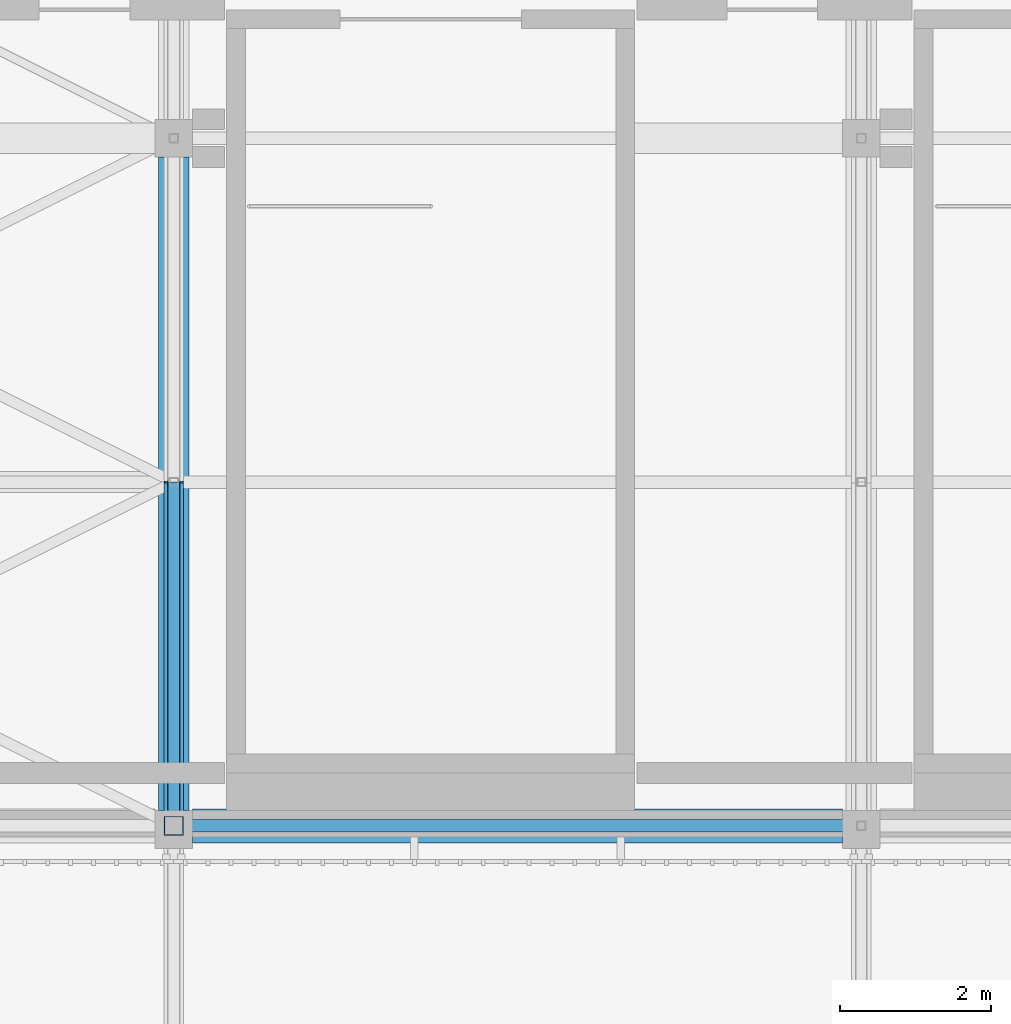
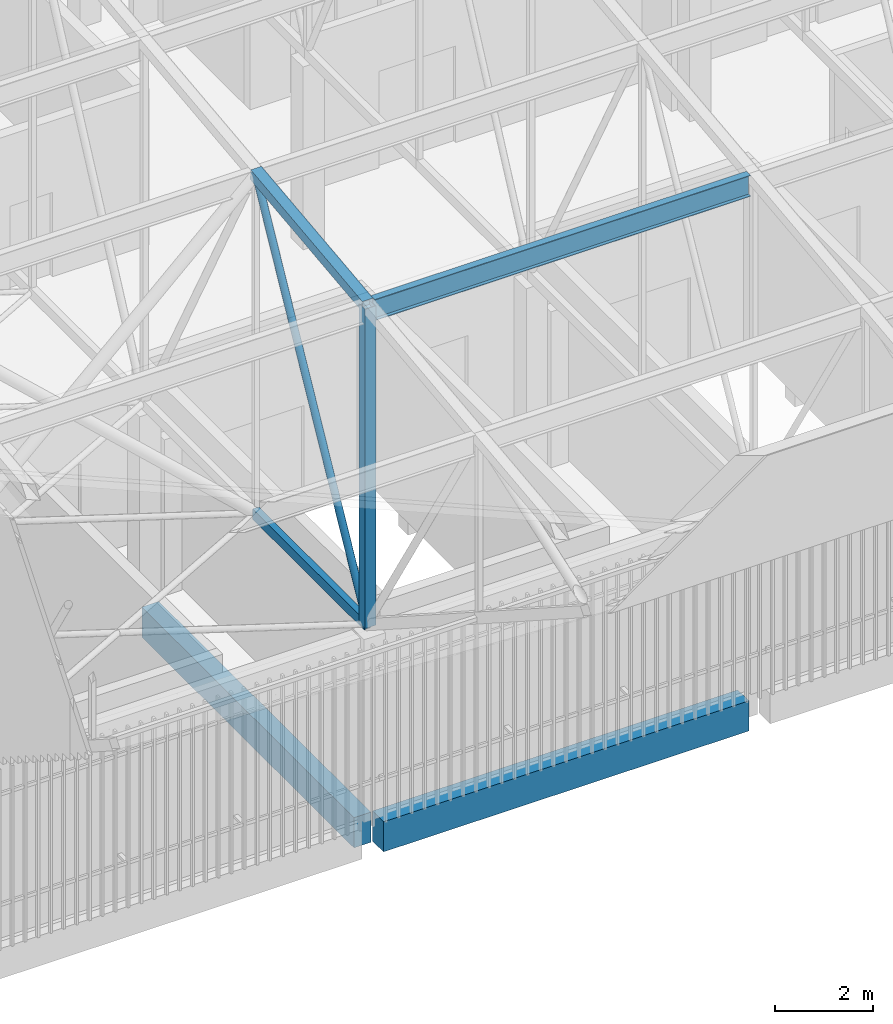
# One storey, part 9 of 500: 5 members, 2 beams.
"""IFC4 building model written with IfcOpenShell, lengths in metres."""

from ifc_helpers import new_model, si_unit, direction, frame, origin, origin_2d, place, context, subcontext, project, spatial, rectangle, hollow_rectangle, hollow_circle, i_section, extrude, material, material_profile, profile_set, type_object, element, save


model = new_model("IFC4")

# Units and contexts
model_context = context("Model", 3, precision=1e-05, world=origin(), true_north=direction((0.0, 1.0)))
body_context = subcontext(model_context, "Body", "Model", "MODEL_VIEW")
ifc_project = project(units=[si_unit("LENGTHUNIT", "METRE"), si_unit("AREAUNIT", "SQUARE_METRE"), si_unit("VOLUMEUNIT", "CUBIC_METRE"), si_unit("PLANEANGLEUNIT", "RADIAN"), si_unit("MASSUNIT", "GRAM", prefix="KILO")], contexts=[model_context])

# Site, building, storey
site_placement = place(None, origin())
site = spatial("IfcSite", under=ifc_project, at=site_placement, CompositionType="ELEMENT")
building_placement = place(site_placement, origin())
building = spatial("IfcBuilding", under=site, at=building_placement, Name="Shirokan Park Arena", CompositionType="ELEMENT")
storey_placement = place(building_placement, frame((0.0, 0.0, 29.1201171875)))
storey = spatial("IfcBuildingStorey", under=building, at=storey_placement, Name="L06", CompositionType="ELEMENT", Elevation=29.1201171875)

# Members
ifc_material_1 = material(Name="Steel ASTM A500 Grade C", Category="steel")
ifc_material_profile_1 = material_profile(ifc_material_1, hollow_rectangle(XDim=0.152099609375, YDim=0.25390625, WallThickness=0.009521484375, at=origin_2d()), Name="HSS254X152.4X9.5")
ifc_profile_set_1 = profile_set([ifc_material_profile_1], Name="Steel ASTM A500 Grade C")
member_type_1 = type_object("IfcMemberType", Name="Bottom chord HSS254X152.4X9.5", PredefinedType="CHORD", material=ifc_profile_set_1)
member_1_placement = place(storey_placement, frame((9.10009765625, 0.0, 4.677001953125), z_axis=(0.0, 1.0, 0.0), x_axis=(-1.0, 0.0, 0.0)))
element("IfcMember", 1, at=member_1_placement, inside=storey, type_object=member_type_1, Name="Truss T02 bottom chord 3", PredefinedType="CHORD", context=body_context, shape_type="SweptSolid", body=[
    extrude(hollow_rectangle(XDim=0.152099609375, YDim=0.25390625, WallThickness=0.009521484375, at=origin_2d()), origin(), (0.0, 0.0, 1.0), 4.550048828125),
])
ifc_material_2 = material(Name="Steel ASTM A992", Category="steel")
ifc_material_profile_2 = material_profile(ifc_material_2, i_section(OverallWidth=0.166015625, OverallDepth=0.528076171875, WebThickness=0.009765625, FlangeThickness=0.013671875, at=origin_2d()), Name="W530X74")
ifc_profile_set_2 = profile_set([ifc_material_profile_2], Name="Steel ASTM A992")
member_type_2 = type_object("IfcMemberType", Name="Purlin W530X74", PredefinedType="PURLIN", material=ifc_profile_set_2)
member_2_placement = place(storey_placement, frame((9.22705078125, 0.0, 12.48583984375), z_axis=(1.0, 0.0, 0.0), x_axis=(0.0, 1.0, 0.0)))
element("IfcMember", 2, at=member_2_placement, inside=storey, type_object=member_type_2, Name="Purlin 3 bay 2", PredefinedType="PURLIN", context=body_context, shape_type="SweptSolid", body=[
    extrude(i_section(OverallWidth=0.166015625, OverallDepth=0.528076171875, WebThickness=0.009765625, FlangeThickness=0.013671875, at=origin_2d()), origin(), (0.0, 0.0, 1.0), 8.845947265625),
])

# Beams
ifc_material_3 = material(Name="Concrete C35", Category="concrete")
ifc_material_profile_3 = material_profile(ifc_material_3, rectangle(XDim=0.39990234375, YDim=0.75, at=origin_2d()), Name="400x750")
ifc_profile_set_3 = profile_set([ifc_material_profile_3], Name="Concrete C35")
beam_type_1 = type_object("IfcBeamType", Name="RC girder 400x750", PredefinedType="BEAM", material=ifc_profile_set_3)
beam_1_placement = place(storey_placement, frame((9.10009765625, 0.2001953125, -0.5751953125), z_axis=(0.0, 1.0, 0.0), x_axis=(-1.0, 0.0, 0.0)))
element("IfcBeam", 3, at=beam_1_placement, inside=storey, type_object=beam_type_1, Name="Girder 2A-2B L06", PredefinedType="BEAM", context=body_context, shape_type="SweptSolid", body=[
    extrude(rectangle(XDim=0.39990234375, YDim=0.75, at=origin_2d()), origin(), (0.0, 0.0, 1.0), 8.649658203125),
])
ifc_material_profile_4 = material_profile(ifc_material_3, rectangle(XDim=0.449951171875, YDim=0.75, at=origin_2d()), Name="450x750")
ifc_profile_set_4 = profile_set([ifc_material_profile_4], Name="Concrete C35")
beam_type_2 = type_object("IfcBeamType", Name="RC girder 450x750", PredefinedType="BEAM", material=ifc_profile_set_4)
beam_2_placement = place(storey_placement, frame((9.35009765625, 0.0, -0.5751953125), z_axis=(1.0, 0.0, 0.0), x_axis=(0.0, 1.0, 0.0)))
element("IfcBeam", 4, at=beam_2_placement, inside=storey, type_object=beam_type_2, Name="Girder 2A-3A L06", PredefinedType="BEAM", context=body_context, shape_type="SweptSolid", body=[
    extrude(rectangle(XDim=0.449951171875, YDim=0.75, at=origin_2d()), origin(), (0.0, 0.0, 1.0), 8.599853515625),
])

# Members
ifc_material_profile_5 = material_profile(ifc_material_1, hollow_rectangle(XDim=0.25390625, YDim=0.25390625, WallThickness=0.009521484375, at=origin_2d()), Name="HSS254X254X9.5")
ifc_profile_set_5 = profile_set([ifc_material_profile_5], Name="Steel ASTM A500 Grade C")
member_type_3 = type_object("IfcMemberType", Name="Top chord HSS254X254X9.5", PredefinedType="CHORD", material=ifc_profile_set_5)
member_3_placement = place(storey_placement, frame((9.10009765625, 0.0, 12.622802734375), z_axis=(0.0, 0.993532328996, 0.113549598152), x_axis=(-1.0, 0.0, 0.0)))
element("IfcMember", 5, at=member_3_placement, inside=storey, type_object=member_type_3, Name="Truss T02 top chord 3", PredefinedType="CHORD", context=body_context, shape_type="SweptSolid", body=[
    extrude(hollow_rectangle(XDim=0.25390625, YDim=0.25390625, WallThickness=0.009521484375, at=origin_2d()), origin(), (0.0, 0.0, 1.0), 4.57958984375),
])
ifc_material_profile_6 = material_profile(ifc_material_1, hollow_circle(Radius=0.083984375, WallThickness=0.009521484375, at=origin_2d()), Name="HSS168.3X9.5")
ifc_profile_set_6 = profile_set([ifc_material_profile_6], Name="Steel ASTM A500 Grade C")
member_type_4 = type_object("IfcMemberType", Name="Truss diagonal HSS168.3X9.5", PredefinedType="BRACE", material=ifc_profile_set_6)
member_4_placement = place(storey_placement, frame((9.10009765625, 0.0, 4.677001953125), z_axis=(0.0, 0.473416507165, 0.880838697347), x_axis=(-1.0, 0.0, 0.0)))
element("IfcMember", 6, at=member_4_placement, inside=storey, type_object=member_type_4, Name="Truss T02 diagonal 3", PredefinedType="BRACE", context=body_context, shape_type="SweptSolid", body=[
    extrude(hollow_circle(Radius=0.083984375, WallThickness=0.009521484375, at=origin_2d()), origin(), (0.0, 0.0, 1.0), 9.611083984375),
])
ifc_material_profile_7 = material_profile(ifc_material_1, hollow_rectangle(XDim=0.25390625, YDim=0.25390625, WallThickness=0.009521484375, at=origin_2d()), Name="HSS254X254X9.5")
ifc_profile_set_7 = profile_set([ifc_material_profile_7], Name="Steel ASTM A500 Grade C")
member_type_5 = type_object("IfcMemberType", Name="Truss post HSS254X254X9.5", PredefinedType="POST", material=ifc_profile_set_7)
member_5_placement = place(storey_placement, frame((9.10009765625, 0.0, 4.677001953125), z_axis=(0.0, 0.0, 1.0), x_axis=(1.0, 0.0, 0.0)))
element("IfcMember", 7, at=member_5_placement, inside=storey, type_object=member_type_5, Name="Truss T02 post 3", PredefinedType="POST", context=body_context, shape_type="SweptSolid", body=[
    extrude(hollow_rectangle(XDim=0.25390625, YDim=0.25390625, WallThickness=0.009521484375, at=origin_2d()), origin(), (0.0, 0.0, 1.0), 7.94580078125),
])

save(model, "model.ifc")
